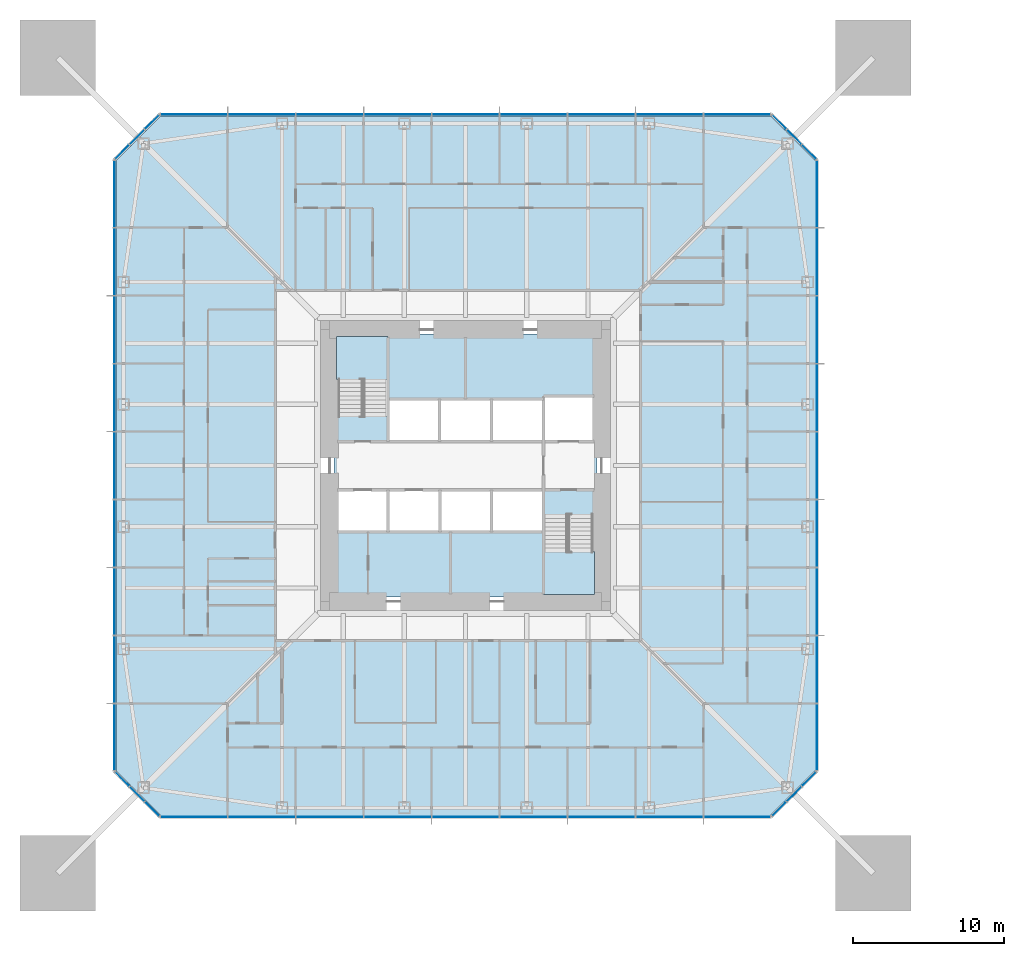
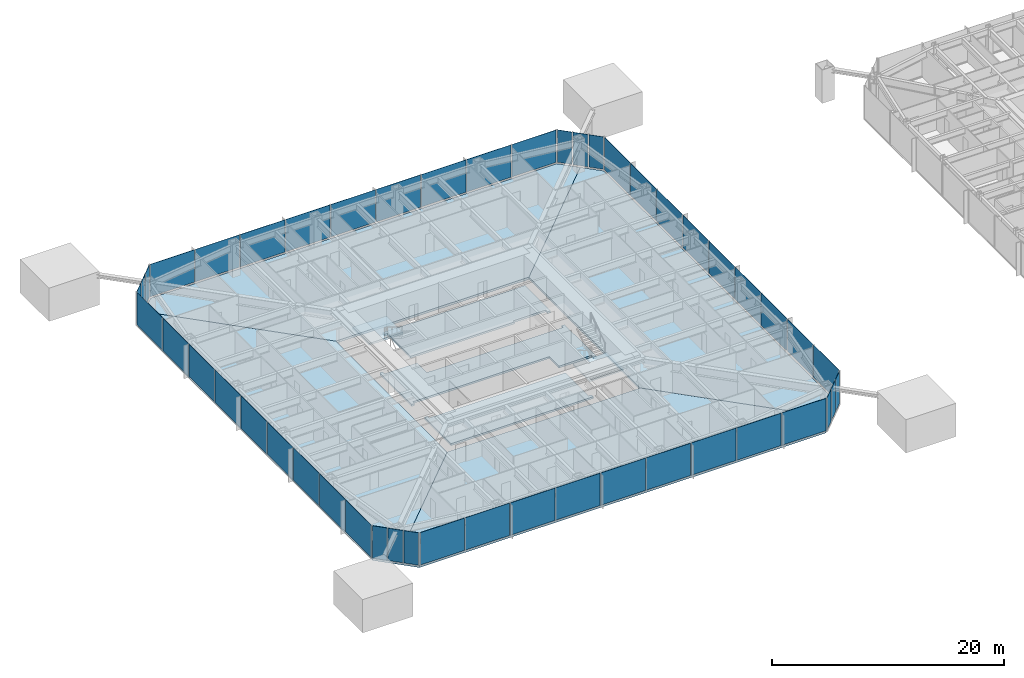
# One storey, part 12 of 26: 48 plates, 9 slabs, 10 elements without a shape of their own.
"""IFC4 building model written with IfcOpenShell, lengths in metres."""

from ifc_helpers import new_model, si_unit, direction, frame, origin, origin_2d, place, context, subcontext, project, spatial, polyline, rectangle, outline, extrude, material, layer, layer_set, constituent, constituent_set, type_object, element, aggregate, save


model = new_model("IFC4")

# Units and contexts
model_context = context("Model", 3, precision=1e-05, world=origin(), true_north=direction((0.0, 1.0)))
body_context = subcontext(model_context, "Body", "Model", "MODEL_VIEW")
ifc_project = project(units=[si_unit("LENGTHUNIT", "METRE"), si_unit("AREAUNIT", "SQUARE_METRE"), si_unit("VOLUMEUNIT", "CUBIC_METRE"), si_unit("PLANEANGLEUNIT", "RADIAN"), si_unit("MASSUNIT", "GRAM", prefix="KILO")], contexts=[model_context])

# Site, building, storey
site_placement = place(None, origin())
site = spatial("IfcSite", under=ifc_project, at=site_placement, CompositionType="ELEMENT")
building_placement = place(site_placement, origin())
building = spatial("IfcBuilding", under=site, at=building_placement, Name="Iwan Alto Co-Living Towers", CompositionType="ELEMENT")
storey_placement = place(building_placement, frame((0.0, 0.0, 46.5)))
storey = spatial("IfcBuildingStorey", under=building, at=storey_placement, Name="L12", CompositionType="ELEMENT", Elevation=46.5)

# Slabs
ifc_material_1 = material(Name="Concrete f'c 30 MPa", Category="concrete")
ifc_layer_1 = layer(ifc_material_1, 0.199951171875)
ifc_layer_set_1 = layer_set([ifc_layer_1], Name="CORE FLOOR SLAB 200")
slab_type_1 = type_object("IfcSlabType", Name="CORE FLOOR SLAB 200", PredefinedType="FLOOR", material=ifc_layer_set_1)
slab_1_placement = place(storey_placement, frame((0.0, 0.0, -0.199951171875)))
element("IfcSlab", 1, at=slab_1_placement, inside=storey, type_object=slab_type_1, Name="T1 core floor L12", PredefinedType="FLOOR", context=body_context, shape_type="SweptSolid", body=[
    extrude(outline(polyline([(8.699951171875, -3.580078125), (8.39990234375, -3.580078125), (8.39990234375, -3.27001953125), (5.14990234375, -3.27001953125), (5.14990234375, -1.60009765625), (1.72509765625, -1.60009765625), (-1.699951171875, -1.60009765625), (-5.125, -1.60009765625), (-8.39990234375, -1.60009765625), (-8.39990234375, -1.909912109375), (-8.699951171875, -1.909912109375), (-8.699951171875, 3.580078125), (-8.39990234375, 3.580078125), (-8.39990234375, 3.27001953125), (-5.14990234375, 3.27001953125), (-5.14990234375, 1.60009765625), (-1.717041015625, 1.60009765625), (1.717041015625, 1.60009765625), (5.14990234375, 1.60009765625), (8.39990234375, 1.60009765625), (8.39990234375, 1.909912109375), (8.699951171875, 1.909912109375), (8.699951171875, -3.580078125)])), origin(), (0.0, 0.0, 1.0), 0.199951171875),
])
slab_2_placement = place(storey_placement, frame((0.0, 0.0, -0.199951171875)))
element("IfcSlab", 2, at=slab_2_placement, inside=storey, type_object=slab_type_1, Name="T1 core floor L12", PredefinedType="FLOOR", context=body_context, shape_type="SweptSolid", body=[
    extrude(outline(polyline([(-1.699951171875, -4.39990234375), (1.72509765625, -4.39990234375), (5.14990234375, -4.39990234375), (5.14990234375, -8.39990234375), (5.4599609375, -8.39990234375), (5.4599609375, -8.699951171875), (-8.699951171875, -8.699951171875), (-8.699951171875, -4.090087890625), (-8.39990234375, -4.090087890625), (-8.39990234375, -4.39990234375), (-5.125, -4.39990234375), (-1.699951171875, -4.39990234375)])), origin(), (0.0, 0.0, 1.0), 0.199951171875),
])
slab_3_placement = place(storey_placement, frame((0.0, 0.0, -0.199951171875)))
element("IfcSlab", 3, at=slab_3_placement, inside=storey, type_object=slab_type_1, Name="T1 core floor L12", PredefinedType="FLOOR", context=body_context, shape_type="SweptSolid", body=[
    extrude(outline(polyline([(1.717041015625, 4.39990234375), (-1.717041015625, 4.39990234375), (-5.14990234375, 4.39990234375), (-5.14990234375, 8.39990234375), (-5.4599609375, 8.39990234375), (-5.4599609375, 8.699951171875), (8.699951171875, 8.699951171875), (8.699951171875, 4.2900390625), (8.39990234375, 4.2900390625), (8.39990234375, 4.60009765625), (5.14990234375, 4.60009765625), (5.14990234375, 4.39990234375), (1.717041015625, 4.39990234375)])), origin(), (0.0, 0.0, 1.0), 0.199951171875),
])

# Curtain wall, plates
ifc_material_2 = material(Name="Bronze aluminium unitised frame", Category="aluminium")
curtain_wall_type_1 = type_object("IfcCurtainWallType", Name="CURTAIN WALL CW-A", PredefinedType="NOTDEFINED", material=ifc_material_2)
curtain_wall_1_placement = place(storey_placement, origin())
curtain_wall_1 = element("IfcCurtainWall", 4, at=curtain_wall_1_placement, inside=storey, type_object=curtain_wall_type_1, Name="T1 curtain wall S L12", PredefinedType="NOTDEFINED")
ifc_material_3 = material(Name="Bronze-tinted insulating glass", Category="glass")
ifc_layer_2 = layer(ifc_material_3, 0.031982421875)
ifc_layer_set_2 = layer_set([ifc_layer_2], Name="CW-A PANEL TINTED IGU 32")
plate_type_1 = type_object("IfcPlateType", Name="CW-A PANEL TINTED IGU 32", PredefinedType="CURTAIN_PANEL", material=ifc_layer_set_2)
plate_1_placement = place(storey_placement, frame((-17.97998046875, -23.25, 0.10009765625), z_axis=(0.0, 0.0, 1.0), x_axis=(1.0, 0.0, 0.0)))
plate_1 = element("IfcPlate", 5, at=plate_1_placement, type_object=plate_type_1, Name="CW-A panel 1.1", PredefinedType="CURTAIN_PANEL", context=body_context, shape_type="SweptSolid", body=[
    extrude(rectangle(XDim=4.3798828125, YDim=0.031982421875, at=origin_2d()), origin(), (0.0, 0.0, 1.0), 3.39990234375),
])
plate_2_placement = place(storey_placement, frame((-13.5, -23.25, 0.10009765625), z_axis=(0.0, 0.0, 1.0), x_axis=(1.0, 0.0, 0.0)))
plate_2 = element("IfcPlate", 6, at=plate_2_placement, type_object=plate_type_1, Name="CW-A panel 2.1", PredefinedType="CURTAIN_PANEL", context=body_context, shape_type="SweptSolid", body=[
    extrude(rectangle(XDim=4.419921875, YDim=0.031982421875, at=origin_2d()), origin(), (0.0, 0.0, 1.0), 3.39990234375),
])
plate_3_placement = place(storey_placement, frame((-9.0, -23.25, 0.10009765625), z_axis=(0.0, 0.0, 1.0), x_axis=(1.0, 0.0, 0.0)))
plate_3 = element("IfcPlate", 7, at=plate_3_placement, type_object=plate_type_1, Name="CW-A panel 3.1", PredefinedType="CURTAIN_PANEL", context=body_context, shape_type="SweptSolid", body=[
    extrude(rectangle(XDim=4.419921875, YDim=0.031982421875, at=origin_2d()), origin(), (0.0, 0.0, 1.0), 3.39990234375),
])
plate_4_placement = place(storey_placement, frame((-4.5, -23.25, 0.10009765625), z_axis=(0.0, 0.0, 1.0), x_axis=(1.0, 0.0, 0.0)))
plate_4 = element("IfcPlate", 8, at=plate_4_placement, type_object=plate_type_1, Name="CW-A panel 4.1", PredefinedType="CURTAIN_PANEL", context=body_context, shape_type="SweptSolid", body=[
    extrude(rectangle(XDim=4.419921875, YDim=0.031982421875, at=origin_2d()), origin(), (0.0, 0.0, 1.0), 3.39990234375),
])
plate_5_placement = place(storey_placement, frame((0.0, -23.25, 0.10009765625), z_axis=(0.0, 0.0, 1.0), x_axis=(1.0, 0.0, 0.0)))
plate_5 = element("IfcPlate", 9, at=plate_5_placement, type_object=plate_type_1, Name="CW-A panel 5.1", PredefinedType="CURTAIN_PANEL", context=body_context, shape_type="SweptSolid", body=[
    extrude(rectangle(XDim=4.419921875, YDim=0.031982421875, at=origin_2d()), origin(), (0.0, 0.0, 1.0), 3.39990234375),
])
plate_6_placement = place(storey_placement, frame((4.5, -23.25, 0.10009765625), z_axis=(0.0, 0.0, 1.0), x_axis=(1.0, 0.0, 0.0)))
plate_6 = element("IfcPlate", 10, at=plate_6_placement, type_object=plate_type_1, Name="CW-A panel 6.1", PredefinedType="CURTAIN_PANEL", context=body_context, shape_type="SweptSolid", body=[
    extrude(rectangle(XDim=4.419921875, YDim=0.031982421875, at=origin_2d()), origin(), (0.0, 0.0, 1.0), 3.39990234375),
])
plate_7_placement = place(storey_placement, frame((9.0, -23.25, 0.10009765625), z_axis=(0.0, 0.0, 1.0), x_axis=(1.0, 0.0, 0.0)))
plate_7 = element("IfcPlate", 11, at=plate_7_placement, type_object=plate_type_1, Name="CW-A panel 7.1", PredefinedType="CURTAIN_PANEL", context=body_context, shape_type="SweptSolid", body=[
    extrude(rectangle(XDim=4.419921875, YDim=0.031982421875, at=origin_2d()), origin(), (0.0, 0.0, 1.0), 3.39990234375),
])
plate_8_placement = place(storey_placement, frame((13.5, -23.25, 0.10009765625), z_axis=(0.0, 0.0, 1.0), x_axis=(1.0, 0.0, 0.0)))
plate_8 = element("IfcPlate", 12, at=plate_8_placement, type_object=plate_type_1, Name="CW-A panel 8.1", PredefinedType="CURTAIN_PANEL", context=body_context, shape_type="SweptSolid", body=[
    extrude(rectangle(XDim=4.419921875, YDim=0.031982421875, at=origin_2d()), origin(), (0.0, 0.0, 1.0), 3.39990234375),
])
plate_9_placement = place(storey_placement, frame((17.97998046875, -23.25, 0.10009765625), z_axis=(0.0, 0.0, 1.0), x_axis=(1.0, 0.0, 0.0)))
plate_9 = element("IfcPlate", 13, at=plate_9_placement, type_object=plate_type_1, Name="CW-A panel 9.1", PredefinedType="CURTAIN_PANEL", context=body_context, shape_type="SweptSolid", body=[
    extrude(rectangle(XDim=4.3798828125, YDim=0.031982421875, at=origin_2d()), origin(), (0.0, 0.0, 1.0), 3.39990234375),
])
aggregate(curtain_wall_1, [plate_1, plate_2, plate_3, plate_4, plate_5, plate_6, plate_7, plate_8, plate_9])

curtain_wall_2_placement = place(storey_placement, origin())
curtain_wall_2 = element("IfcCurtainWall", 14, at=curtain_wall_2_placement, inside=storey, type_object=curtain_wall_type_1, Name="T1 curtain wall E L12", PredefinedType="NOTDEFINED")
plate_10_placement = place(storey_placement, frame((23.25, -17.97998046875, 0.10009765625), z_axis=(0.0, 0.0, 1.0), x_axis=(0.0, 1.0, 0.0)))
plate_10 = element("IfcPlate", 15, at=plate_10_placement, type_object=plate_type_1, Name="CW-A panel 1.1", PredefinedType="CURTAIN_PANEL", context=body_context, shape_type="SweptSolid", body=[
    extrude(rectangle(XDim=4.3798828125, YDim=0.031982421875, at=origin_2d()), origin(), (0.0, 0.0, 1.0), 3.39990234375),
])
plate_11_placement = place(storey_placement, frame((23.25, -13.5, 0.10009765625), z_axis=(0.0, 0.0, 1.0), x_axis=(0.0, 1.0, 0.0)))
plate_11 = element("IfcPlate", 16, at=plate_11_placement, type_object=plate_type_1, Name="CW-A panel 2.1", PredefinedType="CURTAIN_PANEL", context=body_context, shape_type="SweptSolid", body=[
    extrude(rectangle(XDim=4.419921875, YDim=0.031982421875, at=origin_2d()), origin(), (0.0, 0.0, 1.0), 3.39990234375),
])
plate_12_placement = place(storey_placement, frame((23.25, -9.0, 0.10009765625), z_axis=(0.0, 0.0, 1.0), x_axis=(0.0, 1.0, 0.0)))
plate_12 = element("IfcPlate", 17, at=plate_12_placement, type_object=plate_type_1, Name="CW-A panel 3.1", PredefinedType="CURTAIN_PANEL", context=body_context, shape_type="SweptSolid", body=[
    extrude(rectangle(XDim=4.419921875, YDim=0.031982421875, at=origin_2d()), origin(), (0.0, 0.0, 1.0), 3.39990234375),
])
plate_13_placement = place(storey_placement, frame((23.25, -4.5, 0.10009765625), z_axis=(0.0, 0.0, 1.0), x_axis=(0.0, 1.0, 0.0)))
plate_13 = element("IfcPlate", 18, at=plate_13_placement, type_object=plate_type_1, Name="CW-A panel 4.1", PredefinedType="CURTAIN_PANEL", context=body_context, shape_type="SweptSolid", body=[
    extrude(rectangle(XDim=4.419921875, YDim=0.031982421875, at=origin_2d()), origin(), (0.0, 0.0, 1.0), 3.39990234375),
])
plate_14_placement = place(storey_placement, frame((23.25, 0.0, 0.10009765625), z_axis=(0.0, 0.0, 1.0), x_axis=(0.0, 1.0, 0.0)))
plate_14 = element("IfcPlate", 19, at=plate_14_placement, type_object=plate_type_1, Name="CW-A panel 5.1", PredefinedType="CURTAIN_PANEL", context=body_context, shape_type="SweptSolid", body=[
    extrude(rectangle(XDim=4.419921875, YDim=0.031982421875, at=origin_2d()), origin(), (0.0, 0.0, 1.0), 3.39990234375),
])
plate_15_placement = place(storey_placement, frame((23.25, 4.5, 0.10009765625), z_axis=(0.0, 0.0, 1.0), x_axis=(0.0, 1.0, 0.0)))
plate_15 = element("IfcPlate", 20, at=plate_15_placement, type_object=plate_type_1, Name="CW-A panel 6.1", PredefinedType="CURTAIN_PANEL", context=body_context, shape_type="SweptSolid", body=[
    extrude(rectangle(XDim=4.419921875, YDim=0.031982421875, at=origin_2d()), origin(), (0.0, 0.0, 1.0), 3.39990234375),
])
plate_16_placement = place(storey_placement, frame((23.25, 9.0, 0.10009765625), z_axis=(0.0, 0.0, 1.0), x_axis=(0.0, 1.0, 0.0)))
plate_16 = element("IfcPlate", 21, at=plate_16_placement, type_object=plate_type_1, Name="CW-A panel 7.1", PredefinedType="CURTAIN_PANEL", context=body_context, shape_type="SweptSolid", body=[
    extrude(rectangle(XDim=4.419921875, YDim=0.031982421875, at=origin_2d()), origin(), (0.0, 0.0, 1.0), 3.39990234375),
])
plate_17_placement = place(storey_placement, frame((23.25, 13.5, 0.10009765625), z_axis=(0.0, 0.0, 1.0), x_axis=(0.0, 1.0, 0.0)))
plate_17 = element("IfcPlate", 22, at=plate_17_placement, type_object=plate_type_1, Name="CW-A panel 8.1", PredefinedType="CURTAIN_PANEL", context=body_context, shape_type="SweptSolid", body=[
    extrude(rectangle(XDim=4.419921875, YDim=0.031982421875, at=origin_2d()), origin(), (0.0, 0.0, 1.0), 3.39990234375),
])
plate_18_placement = place(storey_placement, frame((23.25, 17.97998046875, 0.10009765625), z_axis=(0.0, 0.0, 1.0), x_axis=(0.0, 1.0, 0.0)))
plate_18 = element("IfcPlate", 23, at=plate_18_placement, type_object=plate_type_1, Name="CW-A panel 9.1", PredefinedType="CURTAIN_PANEL", context=body_context, shape_type="SweptSolid", body=[
    extrude(rectangle(XDim=4.3798828125, YDim=0.031982421875, at=origin_2d()), origin(), (0.0, 0.0, 1.0), 3.39990234375),
])
aggregate(curtain_wall_2, [plate_10, plate_11, plate_12, plate_13, plate_14, plate_15, plate_16, plate_17, plate_18])

curtain_wall_3_placement = place(storey_placement, origin())
curtain_wall_3 = element("IfcCurtainWall", 24, at=curtain_wall_3_placement, inside=storey, type_object=curtain_wall_type_1, Name="T1 curtain wall N L12", PredefinedType="NOTDEFINED")
plate_19_placement = place(storey_placement, frame((17.97998046875, 23.25, 0.10009765625), z_axis=(0.0, 0.0, 1.0), x_axis=(-1.0, 0.0, 0.0)))
plate_19 = element("IfcPlate", 25, at=plate_19_placement, type_object=plate_type_1, Name="CW-A panel 1.1", PredefinedType="CURTAIN_PANEL", context=body_context, shape_type="SweptSolid", body=[
    extrude(rectangle(XDim=4.3798828125, YDim=0.031982421875, at=origin_2d()), origin(), (0.0, 0.0, 1.0), 3.39990234375),
])
plate_20_placement = place(storey_placement, frame((13.5, 23.25, 0.10009765625), z_axis=(0.0, 0.0, 1.0), x_axis=(-1.0, 0.0, 0.0)))
plate_20 = element("IfcPlate", 26, at=plate_20_placement, type_object=plate_type_1, Name="CW-A panel 2.1", PredefinedType="CURTAIN_PANEL", context=body_context, shape_type="SweptSolid", body=[
    extrude(rectangle(XDim=4.419921875, YDim=0.031982421875, at=origin_2d()), origin(), (0.0, 0.0, 1.0), 3.39990234375),
])
plate_21_placement = place(storey_placement, frame((9.0, 23.25, 0.10009765625), z_axis=(0.0, 0.0, 1.0), x_axis=(-1.0, 0.0, 0.0)))
plate_21 = element("IfcPlate", 27, at=plate_21_placement, type_object=plate_type_1, Name="CW-A panel 3.1", PredefinedType="CURTAIN_PANEL", context=body_context, shape_type="SweptSolid", body=[
    extrude(rectangle(XDim=4.419921875, YDim=0.031982421875, at=origin_2d()), origin(), (0.0, 0.0, 1.0), 3.39990234375),
])
plate_22_placement = place(storey_placement, frame((4.5, 23.25, 0.10009765625), z_axis=(0.0, 0.0, 1.0), x_axis=(-1.0, 0.0, 0.0)))
plate_22 = element("IfcPlate", 28, at=plate_22_placement, type_object=plate_type_1, Name="CW-A panel 4.1", PredefinedType="CURTAIN_PANEL", context=body_context, shape_type="SweptSolid", body=[
    extrude(rectangle(XDim=4.419921875, YDim=0.031982421875, at=origin_2d()), origin(), (0.0, 0.0, 1.0), 3.39990234375),
])
plate_23_placement = place(storey_placement, frame((0.0, 23.25, 0.10009765625), z_axis=(0.0, 0.0, 1.0), x_axis=(-1.0, 0.0, 0.0)))
plate_23 = element("IfcPlate", 29, at=plate_23_placement, type_object=plate_type_1, Name="CW-A panel 5.1", PredefinedType="CURTAIN_PANEL", context=body_context, shape_type="SweptSolid", body=[
    extrude(rectangle(XDim=4.419921875, YDim=0.031982421875, at=origin_2d()), origin(), (0.0, 0.0, 1.0), 3.39990234375),
])
plate_24_placement = place(storey_placement, frame((-4.5, 23.25, 0.10009765625), z_axis=(0.0, 0.0, 1.0), x_axis=(-1.0, 0.0, 0.0)))
plate_24 = element("IfcPlate", 30, at=plate_24_placement, type_object=plate_type_1, Name="CW-A panel 6.1", PredefinedType="CURTAIN_PANEL", context=body_context, shape_type="SweptSolid", body=[
    extrude(rectangle(XDim=4.419921875, YDim=0.031982421875, at=origin_2d()), origin(), (0.0, 0.0, 1.0), 3.39990234375),
])
plate_25_placement = place(storey_placement, frame((-9.0, 23.25, 0.10009765625), z_axis=(0.0, 0.0, 1.0), x_axis=(-1.0, 0.0, 0.0)))
plate_25 = element("IfcPlate", 31, at=plate_25_placement, type_object=plate_type_1, Name="CW-A panel 7.1", PredefinedType="CURTAIN_PANEL", context=body_context, shape_type="SweptSolid", body=[
    extrude(rectangle(XDim=4.419921875, YDim=0.031982421875, at=origin_2d()), origin(), (0.0, 0.0, 1.0), 3.39990234375),
])
plate_26_placement = place(storey_placement, frame((-13.5, 23.25, 0.10009765625), z_axis=(0.0, 0.0, 1.0), x_axis=(-1.0, 0.0, 0.0)))
plate_26 = element("IfcPlate", 32, at=plate_26_placement, type_object=plate_type_1, Name="CW-A panel 8.1", PredefinedType="CURTAIN_PANEL", context=body_context, shape_type="SweptSolid", body=[
    extrude(rectangle(XDim=4.419921875, YDim=0.031982421875, at=origin_2d()), origin(), (0.0, 0.0, 1.0), 3.39990234375),
])
plate_27_placement = place(storey_placement, frame((-17.97998046875, 23.25, 0.10009765625), z_axis=(0.0, 0.0, 1.0), x_axis=(-1.0, 0.0, 0.0)))
plate_27 = element("IfcPlate", 33, at=plate_27_placement, type_object=plate_type_1, Name="CW-A panel 9.1", PredefinedType="CURTAIN_PANEL", context=body_context, shape_type="SweptSolid", body=[
    extrude(rectangle(XDim=4.3798828125, YDim=0.031982421875, at=origin_2d()), origin(), (0.0, 0.0, 1.0), 3.39990234375),
])
aggregate(curtain_wall_3, [plate_19, plate_20, plate_21, plate_22, plate_23, plate_24, plate_25, plate_26, plate_27])

curtain_wall_4_placement = place(storey_placement, origin())
curtain_wall_4 = element("IfcCurtainWall", 34, at=curtain_wall_4_placement, inside=storey, type_object=curtain_wall_type_1, Name="T1 curtain wall W L12", PredefinedType="NOTDEFINED")
plate_28_placement = place(storey_placement, frame((-23.25, 17.97998046875, 0.10009765625), z_axis=(0.0, 0.0, 1.0), x_axis=(0.0, -1.0, 0.0)))
plate_28 = element("IfcPlate", 35, at=plate_28_placement, type_object=plate_type_1, Name="CW-A panel 1.1", PredefinedType="CURTAIN_PANEL", context=body_context, shape_type="SweptSolid", body=[
    extrude(rectangle(XDim=4.3798828125, YDim=0.031982421875, at=origin_2d()), origin(), (0.0, 0.0, 1.0), 3.39990234375),
])
plate_29_placement = place(storey_placement, frame((-23.25, 13.5, 0.10009765625), z_axis=(0.0, 0.0, 1.0), x_axis=(0.0, -1.0, 0.0)))
plate_29 = element("IfcPlate", 36, at=plate_29_placement, type_object=plate_type_1, Name="CW-A panel 2.1", PredefinedType="CURTAIN_PANEL", context=body_context, shape_type="SweptSolid", body=[
    extrude(rectangle(XDim=4.419921875, YDim=0.031982421875, at=origin_2d()), origin(), (0.0, 0.0, 1.0), 3.39990234375),
])
plate_30_placement = place(storey_placement, frame((-23.25, 9.0, 0.10009765625), z_axis=(0.0, 0.0, 1.0), x_axis=(0.0, -1.0, 0.0)))
plate_30 = element("IfcPlate", 37, at=plate_30_placement, type_object=plate_type_1, Name="CW-A panel 3.1", PredefinedType="CURTAIN_PANEL", context=body_context, shape_type="SweptSolid", body=[
    extrude(rectangle(XDim=4.419921875, YDim=0.031982421875, at=origin_2d()), origin(), (0.0, 0.0, 1.0), 3.39990234375),
])
plate_31_placement = place(storey_placement, frame((-23.25, 4.5, 0.10009765625), z_axis=(0.0, 0.0, 1.0), x_axis=(0.0, -1.0, 0.0)))
plate_31 = element("IfcPlate", 38, at=plate_31_placement, type_object=plate_type_1, Name="CW-A panel 4.1", PredefinedType="CURTAIN_PANEL", context=body_context, shape_type="SweptSolid", body=[
    extrude(rectangle(XDim=4.419921875, YDim=0.031982421875, at=origin_2d()), origin(), (0.0, 0.0, 1.0), 3.39990234375),
])
plate_32_placement = place(storey_placement, frame((-23.25, 0.0, 0.10009765625), z_axis=(0.0, 0.0, 1.0), x_axis=(0.0, -1.0, 0.0)))
plate_32 = element("IfcPlate", 39, at=plate_32_placement, type_object=plate_type_1, Name="CW-A panel 5.1", PredefinedType="CURTAIN_PANEL", context=body_context, shape_type="SweptSolid", body=[
    extrude(rectangle(XDim=4.419921875, YDim=0.031982421875, at=origin_2d()), origin(), (0.0, 0.0, 1.0), 3.39990234375),
])
plate_33_placement = place(storey_placement, frame((-23.25, -4.5, 0.10009765625), z_axis=(0.0, 0.0, 1.0), x_axis=(0.0, -1.0, 0.0)))
plate_33 = element("IfcPlate", 40, at=plate_33_placement, type_object=plate_type_1, Name="CW-A panel 6.1", PredefinedType="CURTAIN_PANEL", context=body_context, shape_type="SweptSolid", body=[
    extrude(rectangle(XDim=4.419921875, YDim=0.031982421875, at=origin_2d()), origin(), (0.0, 0.0, 1.0), 3.39990234375),
])
plate_34_placement = place(storey_placement, frame((-23.25, -9.0, 0.10009765625), z_axis=(0.0, 0.0, 1.0), x_axis=(0.0, -1.0, 0.0)))
plate_34 = element("IfcPlate", 41, at=plate_34_placement, type_object=plate_type_1, Name="CW-A panel 7.1", PredefinedType="CURTAIN_PANEL", context=body_context, shape_type="SweptSolid", body=[
    extrude(rectangle(XDim=4.419921875, YDim=0.031982421875, at=origin_2d()), origin(), (0.0, 0.0, 1.0), 3.39990234375),
])
plate_35_placement = place(storey_placement, frame((-23.25, -13.5, 0.10009765625), z_axis=(0.0, 0.0, 1.0), x_axis=(0.0, -1.0, 0.0)))
plate_35 = element("IfcPlate", 42, at=plate_35_placement, type_object=plate_type_1, Name="CW-A panel 8.1", PredefinedType="CURTAIN_PANEL", context=body_context, shape_type="SweptSolid", body=[
    extrude(rectangle(XDim=4.419921875, YDim=0.031982421875, at=origin_2d()), origin(), (0.0, 0.0, 1.0), 3.39990234375),
])
plate_36_placement = place(storey_placement, frame((-23.25, -17.97998046875, 0.10009765625), z_axis=(0.0, 0.0, 1.0), x_axis=(0.0, -1.0, 0.0)))
plate_36 = element("IfcPlate", 43, at=plate_36_placement, type_object=plate_type_1, Name="CW-A panel 9.1", PredefinedType="CURTAIN_PANEL", context=body_context, shape_type="SweptSolid", body=[
    extrude(rectangle(XDim=4.3798828125, YDim=0.031982421875, at=origin_2d()), origin(), (0.0, 0.0, 1.0), 3.39990234375),
])
aggregate(curtain_wall_4, [plate_28, plate_29, plate_30, plate_31, plate_32, plate_33, plate_34, plate_35, plate_36])

ifc_material_4 = material(Name="Bronze aluminium unitised frame", Category="aluminium")
curtain_wall_type_2 = type_object("IfcCurtainWallType", Name="CURTAIN WALL CW-B", PredefinedType="NOTDEFINED", material=ifc_material_4)
curtain_wall_5_placement = place(storey_placement, origin())
curtain_wall_5 = element("IfcCurtainWall", 44, at=curtain_wall_5_placement, inside=storey, type_object=curtain_wall_type_2, Name="T1 chamfer curtain wall SE L12", PredefinedType="NOTDEFINED")
ifc_material_5 = material(Name="Bronze-tinted insulating glass", Category="glass")
ifc_layer_3 = layer(ifc_material_5, 0.031982421875)
ifc_layer_set_3 = layer_set([ifc_layer_3], Name="CW-B PANEL TINTED IGU 32")
plate_type_2 = type_object("IfcPlateType", Name="CW-B PANEL TINTED IGU 32", PredefinedType="CURTAIN_PANEL", material=ifc_layer_set_3)
plate_37_placement = place(storey_placement, frame((20.76416015625, -22.73583984375, 0.10009765625), z_axis=(0.0, 0.0, 1.0), x_axis=(0.707106781187, 0.707106781187, 0.0)))
plate_37 = element("IfcPlate", 45, at=plate_37_placement, type_object=plate_type_2, Name="CW-B panel 1.1", PredefinedType="CURTAIN_PANEL", context=body_context, shape_type="SweptSolid", body=[
    extrude(rectangle(XDim=1.294189453125, YDim=0.031982421875, at=origin_2d()), origin(), (0.0, 0.0, 1.0), 3.39990234375),
])
plate_38_placement = place(storey_placement, frame((21.75, -21.75, 0.10009765625), z_axis=(0.0, 0.0, 1.0), x_axis=(0.707106781187, 0.707106781187, 0.0)))
plate_38 = element("IfcPlate", 46, at=plate_38_placement, type_object=plate_type_2, Name="CW-B panel 2.1", PredefinedType="CURTAIN_PANEL", context=body_context, shape_type="SweptSolid", body=[
    extrude(rectangle(XDim=1.334228515625, YDim=0.031982421875, at=origin_2d()), origin(), (0.0, 0.0, 1.0), 3.39990234375),
])
plate_39_placement = place(storey_placement, frame((22.73583984375, -20.76416015625, 0.10009765625), z_axis=(0.0, 0.0, 1.0), x_axis=(0.707106781187, 0.707106781187, 0.0)))
plate_39 = element("IfcPlate", 47, at=plate_39_placement, type_object=plate_type_2, Name="CW-B panel 3.1", PredefinedType="CURTAIN_PANEL", context=body_context, shape_type="SweptSolid", body=[
    extrude(rectangle(XDim=1.294189453125, YDim=0.031982421875, at=origin_2d()), origin(), (0.0, 0.0, 1.0), 3.39990234375),
])
aggregate(curtain_wall_5, [plate_37, plate_38, plate_39])

curtain_wall_6_placement = place(storey_placement, origin())
curtain_wall_6 = element("IfcCurtainWall", 48, at=curtain_wall_6_placement, inside=storey, type_object=curtain_wall_type_2, Name="T1 chamfer curtain wall NE L12", PredefinedType="NOTDEFINED")
plate_40_placement = place(storey_placement, frame((22.73583984375, 20.76416015625, 0.10009765625), z_axis=(0.0, 0.0, 1.0), x_axis=(-0.707106781187, 0.707106781187, 0.0)))
plate_40 = element("IfcPlate", 49, at=plate_40_placement, type_object=plate_type_2, Name="CW-B panel 1.1", PredefinedType="CURTAIN_PANEL", context=body_context, shape_type="SweptSolid", body=[
    extrude(rectangle(XDim=1.294189453125, YDim=0.031982421875, at=origin_2d()), origin(), (0.0, 0.0, 1.0), 3.39990234375),
])
plate_41_placement = place(storey_placement, frame((21.75, 21.75, 0.10009765625), z_axis=(0.0, 0.0, 1.0), x_axis=(-0.707106781187, 0.707106781187, 0.0)))
plate_41 = element("IfcPlate", 50, at=plate_41_placement, type_object=plate_type_2, Name="CW-B panel 2.1", PredefinedType="CURTAIN_PANEL", context=body_context, shape_type="SweptSolid", body=[
    extrude(rectangle(XDim=1.334228515625, YDim=0.031982421875, at=origin_2d()), origin(), (0.0, 0.0, 1.0), 3.39990234375),
])
plate_42_placement = place(storey_placement, frame((20.76416015625, 22.73583984375, 0.10009765625), z_axis=(0.0, 0.0, 1.0), x_axis=(-0.707106781187, 0.707106781187, 0.0)))
plate_42 = element("IfcPlate", 51, at=plate_42_placement, type_object=plate_type_2, Name="CW-B panel 3.1", PredefinedType="CURTAIN_PANEL", context=body_context, shape_type="SweptSolid", body=[
    extrude(rectangle(XDim=1.294189453125, YDim=0.031982421875, at=origin_2d()), origin(), (0.0, 0.0, 1.0), 3.39990234375),
])
aggregate(curtain_wall_6, [plate_40, plate_41, plate_42])

curtain_wall_7_placement = place(storey_placement, origin())
curtain_wall_7 = element("IfcCurtainWall", 52, at=curtain_wall_7_placement, inside=storey, type_object=curtain_wall_type_2, Name="T1 chamfer curtain wall NW L12", PredefinedType="NOTDEFINED")
plate_43_placement = place(storey_placement, frame((-20.76416015625, 22.73583984375, 0.10009765625), z_axis=(0.0, 0.0, 1.0), x_axis=(-0.707106781187, -0.707106781187, 0.0)))
plate_43 = element("IfcPlate", 53, at=plate_43_placement, type_object=plate_type_2, Name="CW-B panel 1.1", PredefinedType="CURTAIN_PANEL", context=body_context, shape_type="SweptSolid", body=[
    extrude(rectangle(XDim=1.294189453125, YDim=0.031982421875, at=origin_2d()), origin(), (0.0, 0.0, 1.0), 3.39990234375),
])
plate_44_placement = place(storey_placement, frame((-21.75, 21.75, 0.10009765625), z_axis=(0.0, 0.0, 1.0), x_axis=(-0.707106781187, -0.707106781187, 0.0)))
plate_44 = element("IfcPlate", 54, at=plate_44_placement, type_object=plate_type_2, Name="CW-B panel 2.1", PredefinedType="CURTAIN_PANEL", context=body_context, shape_type="SweptSolid", body=[
    extrude(rectangle(XDim=1.334228515625, YDim=0.031982421875, at=origin_2d()), origin(), (0.0, 0.0, 1.0), 3.39990234375),
])
plate_45_placement = place(storey_placement, frame((-22.73583984375, 20.76416015625, 0.10009765625), z_axis=(0.0, 0.0, 1.0), x_axis=(-0.707106781187, -0.707106781187, 0.0)))
plate_45 = element("IfcPlate", 55, at=plate_45_placement, type_object=plate_type_2, Name="CW-B panel 3.1", PredefinedType="CURTAIN_PANEL", context=body_context, shape_type="SweptSolid", body=[
    extrude(rectangle(XDim=1.294189453125, YDim=0.031982421875, at=origin_2d()), origin(), (0.0, 0.0, 1.0), 3.39990234375),
])
aggregate(curtain_wall_7, [plate_43, plate_44, plate_45])

curtain_wall_8_placement = place(storey_placement, origin())
curtain_wall_8 = element("IfcCurtainWall", 56, at=curtain_wall_8_placement, inside=storey, type_object=curtain_wall_type_2, Name="T1 chamfer curtain wall SW L12", PredefinedType="NOTDEFINED")
plate_46_placement = place(storey_placement, frame((-22.73583984375, -20.76416015625, 0.10009765625), z_axis=(0.0, 0.0, 1.0), x_axis=(0.707106781187, -0.707106781187, 0.0)))
plate_46 = element("IfcPlate", 57, at=plate_46_placement, type_object=plate_type_2, Name="CW-B panel 1.1", PredefinedType="CURTAIN_PANEL", context=body_context, shape_type="SweptSolid", body=[
    extrude(rectangle(XDim=1.294189453125, YDim=0.031982421875, at=origin_2d()), origin(), (0.0, 0.0, 1.0), 3.39990234375),
])
plate_47_placement = place(storey_placement, frame((-21.75, -21.75, 0.10009765625), z_axis=(0.0, 0.0, 1.0), x_axis=(0.707106781187, -0.707106781187, 0.0)))
plate_47 = element("IfcPlate", 58, at=plate_47_placement, type_object=plate_type_2, Name="CW-B panel 2.1", PredefinedType="CURTAIN_PANEL", context=body_context, shape_type="SweptSolid", body=[
    extrude(rectangle(XDim=1.334228515625, YDim=0.031982421875, at=origin_2d()), origin(), (0.0, 0.0, 1.0), 3.39990234375),
])
plate_48_placement = place(storey_placement, frame((-20.76416015625, -22.73583984375, 0.10009765625), z_axis=(0.0, 0.0, 1.0), x_axis=(0.707106781187, -0.707106781187, 0.0)))
plate_48 = element("IfcPlate", 59, at=plate_48_placement, type_object=plate_type_2, Name="CW-B panel 3.1", PredefinedType="CURTAIN_PANEL", context=body_context, shape_type="SweptSolid", body=[
    extrude(rectangle(XDim=1.294189453125, YDim=0.031982421875, at=origin_2d()), origin(), (0.0, 0.0, 1.0), 3.39990234375),
])
aggregate(curtain_wall_8, [plate_46, plate_47, plate_48])

# Stair, slab
ifc_material_6 = material(Name="Steel ASTM A36", Category="steel")
ifc_constituent_1 = constituent(ifc_material_6, Name="Stringers", Category="LoadBearing")
ifc_material_7 = material(Name="Concrete f'c 30 MPa", Category="concrete")
ifc_constituent_2 = constituent(ifc_material_7, Name="Tread fill", Category="Finish")
ifc_constituent_set = constituent_set(constituents=[ifc_constituent_1, ifc_constituent_2], Name="STAIR 3500 TWO-FLIGHT T1 CORE")
stair_type = type_object("IfcStairType", Name="STAIR 3500 TWO-FLIGHT T1 CORE", PredefinedType="HALF_TURN_STAIR", material=ifc_constituent_set)
stair_1_placement = place(storey_placement, origin())
stair_1 = element("IfcStair", 60, at=stair_1_placement, inside=storey, type_object=stair_type, Name="Stair T1-S1 L12 to L13", PredefinedType="HALF_TURN_STAIR")
ifc_material_8 = material(Name="Concrete f'c 30 MPa", Category="concrete")
ifc_layer_4 = layer(ifc_material_8, 0.199951171875)
ifc_layer_set_4 = layer_set([ifc_layer_4], Name="STAIR LANDING 200")
slab_type_2 = type_object("IfcSlabType", Name="STAIR LANDING 200", PredefinedType="LANDING", material=ifc_layer_set_4)
slab_4_placement = place(storey_placement, frame((0.0, 0.0, 1.550048828125)))
slab_4 = element("IfcSlab", 61, at=slab_4_placement, type_object=slab_type_2, Name="T1-S1 landing 1", PredefinedType="LANDING", context=body_context, shape_type="SweptSolid", body=[
    extrude(outline(polyline([(-8.550048828125, 5.68994140625), (-8.550048828125, 8.550048828125), (-5.14990234375, 8.550048828125), (-5.14990234375, 5.68994140625), (-8.550048828125, 5.68994140625)])), origin(), (0.0, 0.0, 1.0), 0.199951171875),
])
aggregate(stair_1, [slab_4])

stair_2_placement = place(storey_placement, origin())
stair_2 = element("IfcStair", 62, at=stair_2_placement, inside=storey, type_object=stair_type, Name="Stair T1-S2 L12 to L13", PredefinedType="HALF_TURN_STAIR")
slab_5_placement = place(storey_placement, frame((0.0, 0.0, 1.550048828125)))
slab_5 = element("IfcSlab", 63, at=slab_5_placement, type_object=slab_type_2, Name="T1-S2 landing 1", PredefinedType="LANDING", context=body_context, shape_type="SweptSolid", body=[
    extrude(outline(polyline([(5.14990234375, -5.68994140625), (5.14990234375, -8.550048828125), (8.550048828125, -8.550048828125), (8.550048828125, -5.68994140625), (5.14990234375, -5.68994140625)])), origin(), (0.0, 0.0, 1.0), 0.199951171875),
])
aggregate(stair_2, [slab_5])

# Slabs
ifc_material_9 = material(Name="Concrete f'c 30 MPa", Category="concrete")
ifc_layer_5 = layer(ifc_material_9, 0.22998046875)
ifc_layer_set_5 = layer_set([ifc_layer_5], Name="T1 FLOOR SLAB 230")
slab_type_3 = type_object("IfcSlabType", Name="T1 FLOOR SLAB 230", PredefinedType="FLOOR", material=ifc_layer_set_5)
slab_6_placement = place(storey_placement, frame((0.0, 0.0, -0.22998046875)))
element("IfcSlab", 64, at=slab_6_placement, inside=storey, type_object=slab_type_3, Name="T1 floor slab L12 S pour", PredefinedType="FLOOR", context=body_context, shape_type="SweptSolid", body=[
    extrude(outline(polyline([(20.19140625, -23.14990234375), (-20.19140625, -23.14990234375), (-21.670654296875, -21.670654296875), (-9.60009765625, -9.60009765625), (9.60009765625, -9.60009765625), (21.670654296875, -21.670654296875), (20.19140625, -23.14990234375)])), origin(), (0.0, 0.0, 1.0), 0.22998046875),
])
slab_7_placement = place(storey_placement, frame((0.0, 0.0, -0.22998046875)))
element("IfcSlab", 65, at=slab_7_placement, inside=storey, type_object=slab_type_3, Name="T1 floor slab L12 E pour", PredefinedType="FLOOR", context=body_context, shape_type="SweptSolid", body=[
    extrude(outline(polyline([(23.14990234375, 20.19140625), (23.14990234375, -20.19140625), (21.670654296875, -21.670654296875), (9.60009765625, -9.60009765625), (9.60009765625, 9.60009765625), (21.670654296875, 21.670654296875), (23.14990234375, 20.19140625)])), origin(), (0.0, 0.0, 1.0), 0.22998046875),
])
slab_8_placement = place(storey_placement, frame((0.0, 0.0, -0.22998046875)))
element("IfcSlab", 66, at=slab_8_placement, inside=storey, type_object=slab_type_3, Name="T1 floor slab L12 N pour", PredefinedType="FLOOR", context=body_context, shape_type="SweptSolid", body=[
    extrude(outline(polyline([(-20.19140625, 23.14990234375), (20.19140625, 23.14990234375), (21.670654296875, 21.670654296875), (9.60009765625, 9.60009765625), (-9.60009765625, 9.60009765625), (-21.670654296875, 21.670654296875), (-20.19140625, 23.14990234375)])), origin(), (0.0, 0.0, 1.0), 0.22998046875),
])
slab_9_placement = place(storey_placement, frame((0.0, 0.0, -0.22998046875)))
element("IfcSlab", 67, at=slab_9_placement, inside=storey, type_object=slab_type_3, Name="T1 floor slab L12 W pour", PredefinedType="FLOOR", context=body_context, shape_type="SweptSolid", body=[
    extrude(outline(polyline([(-23.14990234375, 20.19140625), (-21.670654296875, 21.670654296875), (-9.60009765625, 9.60009765625), (-9.60009765625, -9.60009765625), (-21.670654296875, -21.670654296875), (-23.14990234375, -20.19140625), (-23.14990234375, 20.19140625)])), origin(), (0.0, 0.0, 1.0), 0.22998046875),
])

save(model, "model.ifc")
